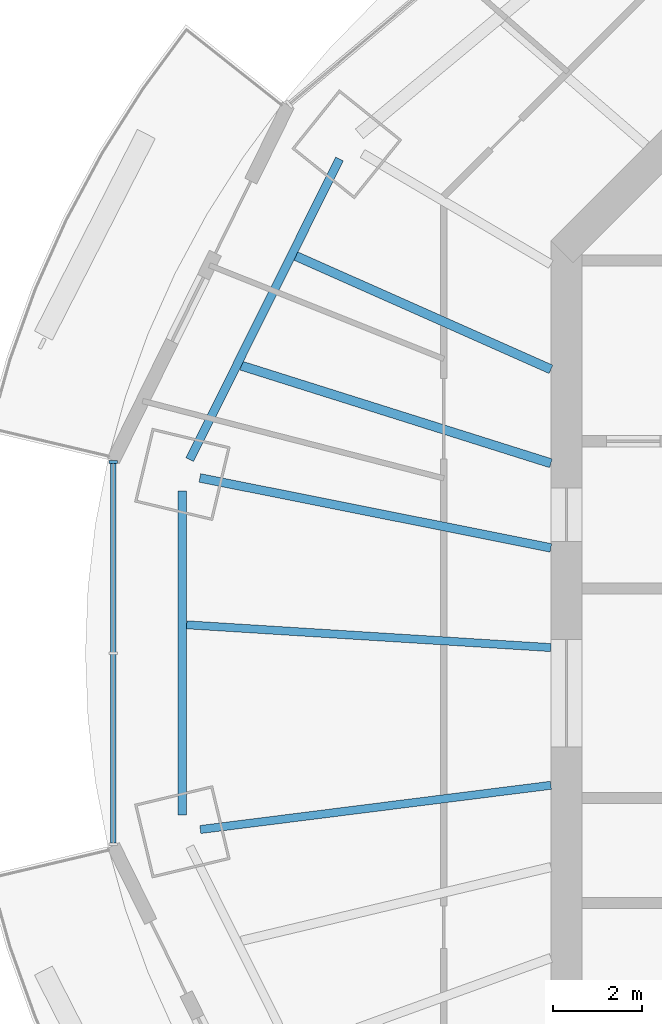
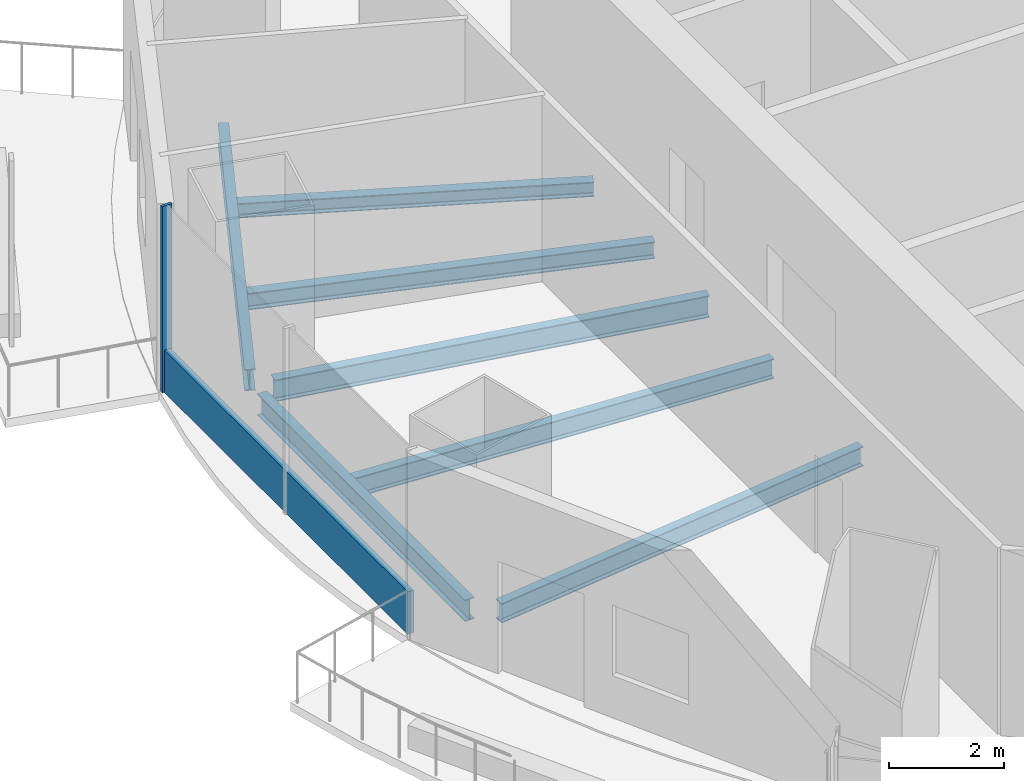
# One storey, part 3 of 16: 7 beams, 2 members, 1 element without a shape of its own.
"""IFC4 building model written with IfcOpenShell, lengths in metres."""

from ifc_helpers import new_model, si_unit, direction, frame, origin, origin_2d, place, context, subcontext, project, spatial, rectangle, i_section, extrude, material, material_profile, profile_set, type_object, element, aggregate, save


model = new_model("IFC4")

# Units and contexts
model_context = context("Model", 3, precision=1e-05, world=origin(), true_north=direction((0.0, 1.0)))
body_context = subcontext(model_context, "Body", "Model", "MODEL_VIEW")
ifc_project = project(units=[si_unit("LENGTHUNIT", "METRE"), si_unit("AREAUNIT", "SQUARE_METRE"), si_unit("VOLUMEUNIT", "CUBIC_METRE"), si_unit("PLANEANGLEUNIT", "RADIAN"), si_unit("MASSUNIT", "GRAM", prefix="KILO")], contexts=[model_context])

# Site, building, storey
site_placement = place(None, origin())
site = spatial("IfcSite", under=ifc_project, at=site_placement, CompositionType="ELEMENT")
building_placement = place(site_placement, origin())
building = spatial("IfcBuilding", under=site, at=building_placement, Name="Marenthal Gate Tower", CompositionType="ELEMENT")
storey_placement = place(building_placement, frame((0.0, 0.0, 363.35009765625)))
storey = spatial("IfcBuildingStorey", under=building, at=storey_placement, Name="L82", CompositionType="ELEMENT", Elevation=363.35009765625)

# Curtain wall, members
ifc_material_1 = material(Name="Aluminium and glass", Category="aluminium")
curtain_wall_type = type_object("IfcCurtainWallType", Name="Curtain wall typical high", PredefinedType="NOTDEFINED", material=ifc_material_1)
curtain_wall_placement = place(storey_placement, origin())
curtain_wall = element("IfcCurtainWall", 1, at=curtain_wall_placement, inside=storey, type_object=curtain_wall_type, Name="Curtain wall L82 bay 8", PredefinedType="NOTDEFINED")
ifc_material_2 = material(Name="Aluminium", Category="aluminium")
ifc_material_profile_1 = material_profile(ifc_material_2, rectangle(XDim=0.199951171875, YDim=0.06005859375, at=origin_2d()), Name="60x200 aluminium mullion")
ifc_profile_set_1 = profile_set([ifc_material_profile_1], Name="Aluminium")
member_type_1 = type_object("IfcMemberType", Name="Mullion 60x200 typical high", PredefinedType="MULLION", material=ifc_profile_set_1)
member_1_placement = place(storey_placement, frame((-26.160400390625, 5.18359375, 0.0), z_axis=(0.0, 0.0, 1.0), x_axis=(1.0, 0.0, 0.0)))
member_1 = element("IfcMember", 2, at=member_1_placement, type_object=member_type_1, Name="Mullion L82 bay 8.1", PredefinedType="MULLION", context=body_context, shape_type="SweptSolid", body=[
    extrude(rectangle(XDim=0.199951171875, YDim=0.06005859375, at=origin_2d()), origin(), (0.0, 0.0, 1.0), 3.969970703125),
])
ifc_material_3 = material(Name="Aluminium", Category="aluminium")
ifc_material_profile_2 = material_profile(ifc_material_3, rectangle(XDim=0.1201171875, YDim=0.89990234375, at=origin_2d()), Name="120x900 aluminium transom")
ifc_profile_set_2 = profile_set([ifc_material_profile_2], Name="Aluminium")
member_type_2 = type_object("IfcMemberType", Name="Transom 120x900 typical high", PredefinedType="USERDEFINED", material=ifc_profile_set_2)
member_2_placement = place(storey_placement, frame((-26.160400390625, 5.153564453125, 0.449951171875), z_axis=(0.0, -1.0, 0.0), x_axis=(1.0, 0.0, 0.0)))
member_2 = element("IfcMember", 3, at=member_2_placement, type_object=member_type_2, Name="Transom L82 bay 8", ObjectType="TRANSOM", PredefinedType="USERDEFINED", context=body_context, shape_type="SweptSolid", body=[
    extrude(rectangle(XDim=0.1201171875, YDim=0.89990234375, at=origin_2d()), origin(), (0.0, 0.0, 1.0), 8.507080078125),
])
aggregate(curtain_wall, [member_1, member_2])

# Beams
ifc_material_4 = material(Name="Steel S355", Category="steel")
ifc_material_profile_3 = material_profile(ifc_material_4, i_section(OverallWidth=0.205078125, OverallDepth=0.31005859375, WebThickness=0.009521484375, FlangeThickness=0.016357421875, FilletRadius=0.0126953125, at=origin_2d()), Name="W310X74")
ifc_profile_set_3 = profile_set([ifc_material_profile_3], Name="Steel S355")
beam_type_1 = type_object("IfcBeamType", Name="W310X74 beam", PredefinedType="BEAM", material=ifc_profile_set_3)
beam_1_placement = place(storey_placement, frame((-22.066162109375, 9.800537109375, -0.335205078125), z_axis=(0.913909711249, -0.40591752818, 0.0), x_axis=(0.40591752818, 0.913909711249, 0.0)))
element("IfcBeam", 4, at=beam_1_placement, inside=storey, type_object=beam_type_1, Name="BM-L82-26", PredefinedType="BEAM", context=body_context, shape_type="SweptSolid", body=[
    extrude(i_section(OverallWidth=0.205078125, OverallDepth=0.31005859375, WebThickness=0.009521484375, FlangeThickness=0.016357421875, FilletRadius=0.0126953125, at=origin_2d()), origin(), (0.0, 0.0, 1.0), 6.254638671875),
])
ifc_material_5 = material(Name="Steel S355", Category="steel")
ifc_material_profile_4 = material_profile(ifc_material_5, i_section(OverallWidth=0.205078125, OverallDepth=0.35302734375, WebThickness=0.009521484375, FlangeThickness=0.016845703125, FilletRadius=0.014892578125, at=origin_2d()), Name="W360X79")
ifc_profile_set_4 = profile_set([ifc_material_profile_4], Name="Steel S355")
beam_type_2 = type_object("IfcBeamType", Name="W360X79 beam", PredefinedType="BEAM", material=ifc_profile_set_4)
beam_2_placement = place(storey_placement, frame((-23.289794921875, 7.34326171875, -0.356689453125), z_axis=(0.953720492424, -0.300694566512, 0.0), x_axis=(0.300694566512, 0.953720492424, 0.0)))
element("IfcBeam", 5, at=beam_2_placement, inside=storey, type_object=beam_type_2, Name="BM-L82-27", PredefinedType="BEAM", context=body_context, shape_type="SweptSolid", body=[
    extrude(i_section(OverallWidth=0.205078125, OverallDepth=0.35302734375, WebThickness=0.009521484375, FlangeThickness=0.016845703125, FilletRadius=0.014892578125, at=origin_2d()), origin(), (0.0, 0.0, 1.0), 7.2763671875),
])
ifc_material_6 = material(Name="Steel S355", Category="steel")
ifc_material_profile_5 = material_profile(ifc_material_6, i_section(OverallWidth=0.180908203125, OverallDepth=0.4169921875, WebThickness=0.010986328125, FlangeThickness=0.018310546875, FilletRadius=0.01025390625, at=origin_2d()), Name="W410X85")
ifc_profile_set_5 = profile_set([ifc_material_profile_5], Name="Steel S355")
beam_type_3 = type_object("IfcBeamType", Name="W410X85 beam", PredefinedType="BEAM", material=ifc_profile_set_5)
beam_3_placement = place(storey_placement, frame((-24.20849609375, -3.0546875, -0.388671875), z_axis=(0.992131135127, 0.125203077883, 0.0), x_axis=(-0.125203077883, 0.992131135127, 0.0)))
element("IfcBeam", 6, at=beam_3_placement, inside=storey, type_object=beam_type_3, Name="BM-L82-09", PredefinedType="BEAM", context=body_context, shape_type="SweptSolid", body=[
    extrude(i_section(OverallWidth=0.180908203125, OverallDepth=0.4169921875, WebThickness=0.010986328125, FlangeThickness=0.018310546875, FilletRadius=0.01025390625, at=origin_2d()), origin(), (0.0, 0.0, 1.0), 7.920654296875),
])
beam_4_placement = place(storey_placement, frame((-24.51513671875, 1.534912109375, -0.388671875), z_axis=(0.998045605186, -0.062489758918, 0.0), x_axis=(0.062489758918, 0.998045605186, 0.0)))
element("IfcBeam", 7, at=beam_4_placement, inside=storey, type_object=beam_type_3, Name="BM-L82-28", PredefinedType="BEAM", context=body_context, shape_type="SweptSolid", body=[
    extrude(i_section(OverallWidth=0.180908203125, OverallDepth=0.4169921875, WebThickness=0.010986328125, FlangeThickness=0.018310546875, FilletRadius=0.01025390625, at=origin_2d()), origin(), (0.0, 0.0, 1.0), 8.180908203125),
])
ifc_material_7 = material(Name="Steel S355", Category="steel")
ifc_material_profile_6 = material_profile(ifc_material_7, i_section(OverallWidth=0.19091796875, OverallDepth=0.45703125, WebThickness=0.009033203125, FlangeThickness=0.014404296875, FilletRadius=0.01025390625, at=origin_2d()), Name="W460X74")
ifc_profile_set_6 = profile_set([ifc_material_profile_6], Name="Steel S355")
beam_type_4 = type_object("IfcBeamType", Name="W460X74 beam", PredefinedType="BEAM", material=ifc_profile_set_6)
beam_5_placement = place(storey_placement, frame((-21.089599609375, 11.975341796875, -0.40869140625), z_axis=(-0.445798626481, -0.895133277578, 0.0), x_axis=(0.895133277578, -0.445798626481, 0.0)))
element("IfcBeam", 8, at=beam_5_placement, inside=storey, type_object=beam_type_4, Name="BM-L82-45", PredefinedType="BEAM", context=body_context, shape_type="SweptSolid", body=[
    extrude(i_section(OverallWidth=0.19091796875, OverallDepth=0.45703125, WebThickness=0.009033203125, FlangeThickness=0.014404296875, FilletRadius=0.01025390625, at=origin_2d()), origin(), (0.0, 0.0, 1.0), 7.52587890625),
])
beam_6_placement = place(storey_placement, frame((-24.610595703125, 4.531494140625, -0.40869140625), z_axis=(0.0, -1.0, 0.0), x_axis=(1.0, 0.0, 0.0)))
element("IfcBeam", 9, at=beam_6_placement, inside=storey, type_object=beam_type_4, Name="BM-L82-46", PredefinedType="BEAM", context=body_context, shape_type="SweptSolid", body=[
    extrude(i_section(OverallWidth=0.19091796875, OverallDepth=0.45703125, WebThickness=0.009033203125, FlangeThickness=0.014404296875, FilletRadius=0.01025390625, at=origin_2d()), origin(), (0.0, 0.0, 1.0), 7.262939453125),
])
ifc_material_8 = material(Name="Steel S355", Category="steel")
ifc_material_profile_7 = material_profile(ifc_material_8, i_section(OverallWidth=0.193115234375, OverallDepth=0.467041015625, WebThickness=0.011474609375, FlangeThickness=0.01904296875, FilletRadius=0.010009765625, at=origin_2d()), Name="W460X97")
ifc_profile_set_7 = profile_set([ifc_material_profile_7], Name="Steel S355")
beam_type_5 = type_object("IfcBeamType", Name="W460X97 beam", PredefinedType="BEAM", material=ifc_profile_set_7)
beam_7_placement = place(storey_placement, frame((-24.2177734375, 4.8271484375, -0.41357421875), z_axis=(0.980704548758, -0.195495749433, 0.0), x_axis=(0.195495749433, 0.980704548758, 0.0)))
element("IfcBeam", 10, at=beam_7_placement, inside=storey, type_object=beam_type_5, Name="BM-L82-08", PredefinedType="BEAM", context=body_context, shape_type="SweptSolid", body=[
    extrude(i_section(OverallWidth=0.193115234375, OverallDepth=0.467041015625, WebThickness=0.011474609375, FlangeThickness=0.01904296875, FilletRadius=0.010009765625, at=origin_2d()), origin(), (0.0, 0.0, 1.0), 8.0224609375),
])

save(model, "model.ifc")
